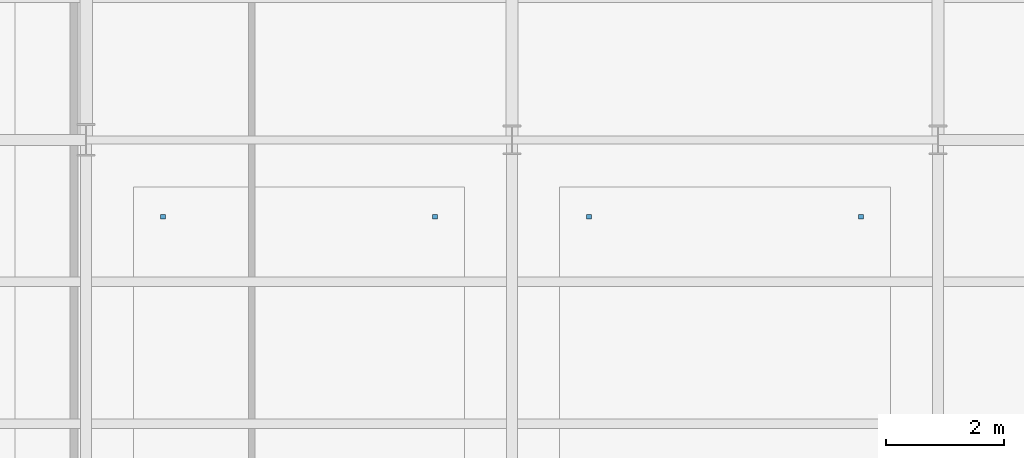
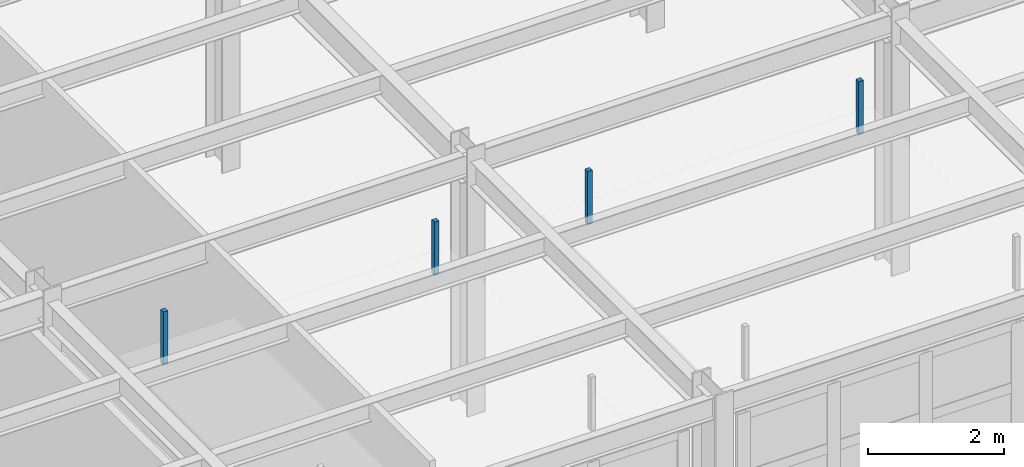
# One storey, part 104 of 121: 4 discrete accessories.
"""IFC4 building model written with IfcOpenShell, lengths in metres."""

from ifc_helpers import new_model, si_unit, direction, frame, origin, origin_2d, place, context, subcontext, project, spatial, rectangle, extrude, material, type_object, element, save


model = new_model("IFC4")

# Units and contexts
model_context = context("Model", 3, precision=1e-05, world=origin(), true_north=direction((0.0, 1.0)))
body_context = subcontext(model_context, "Body", "Model", "MODEL_VIEW")
ifc_project = project(units=[si_unit("LENGTHUNIT", "METRE"), si_unit("AREAUNIT", "SQUARE_METRE"), si_unit("VOLUMEUNIT", "CUBIC_METRE"), si_unit("PLANEANGLEUNIT", "RADIAN"), si_unit("MASSUNIT", "GRAM", prefix="KILO")], contexts=[model_context])

# Site, building, storey
site_placement = place(None, origin())
site = spatial("IfcSite", under=ifc_project, at=site_placement, CompositionType="ELEMENT")
building_placement = place(site_placement, origin())
building = spatial("IfcBuilding", under=site, at=building_placement, Name="Solvadek Multi-Sports Hall", CompositionType="ELEMENT")
storey_placement = place(building_placement, frame((0.0, 0.0, 4.800048828125)))
storey = spatial("IfcBuildingStorey", under=building, at=storey_placement, Name="L01", CompositionType="ELEMENT", Elevation=4.800048828125)

# Discrete accessories
ifc_material = material(Name="Steel E250 (250 MPa)", Category="steel")
discrete_accessory_type = type_object("IfcDiscreteAccessoryType", Name="ENV-BRK-CLEAT", PredefinedType="BRACKET", material=ifc_material)
for number, where, z_axis, x_axis, name in (
    (1, (22.89990234375, 55.10009765625, 3.614990234375), (0.0, 0.0, 1.0), (1.0, 0.0, 0.0), "L01 Ceiling Suspension Hanger #4.3"),
    (2, (27.5, 55.10009765625, 3.614990234375), (0.0, 0.0, 1.0), (1.0, 0.0, 0.0), "L01 Ceiling Suspension Hanger #4.4"),
    (3, (30.10009765625, 55.10009765625, 3.614990234375), (0.0, 0.0, 1.0), (1.0, 0.0, 0.0), "L01 Ceiling Suspension Hanger #5.3"),
    (4, (34.699951171875, 55.10009765625, 3.614990234375), (0.0, 0.0, 1.0), (1.0, 0.0, 0.0), "L01 Ceiling Suspension Hanger #5.4"),
):
    element("IfcDiscreteAccessory", number, at=place(storey_placement, frame(where, z_axis=z_axis, x_axis=x_axis)), inside=storey, type_object=discrete_accessory_type, Name=name, PredefinedType="BRACKET", context=body_context, shape_type="SweptSolid", body=[
        extrude(rectangle(XDim=0.080078125, YDim=0.080078125, at=origin_2d()), origin(), (0.0, 0.0, 1.0), 0.955078125),
    ])

save(model, "model.ifc")
